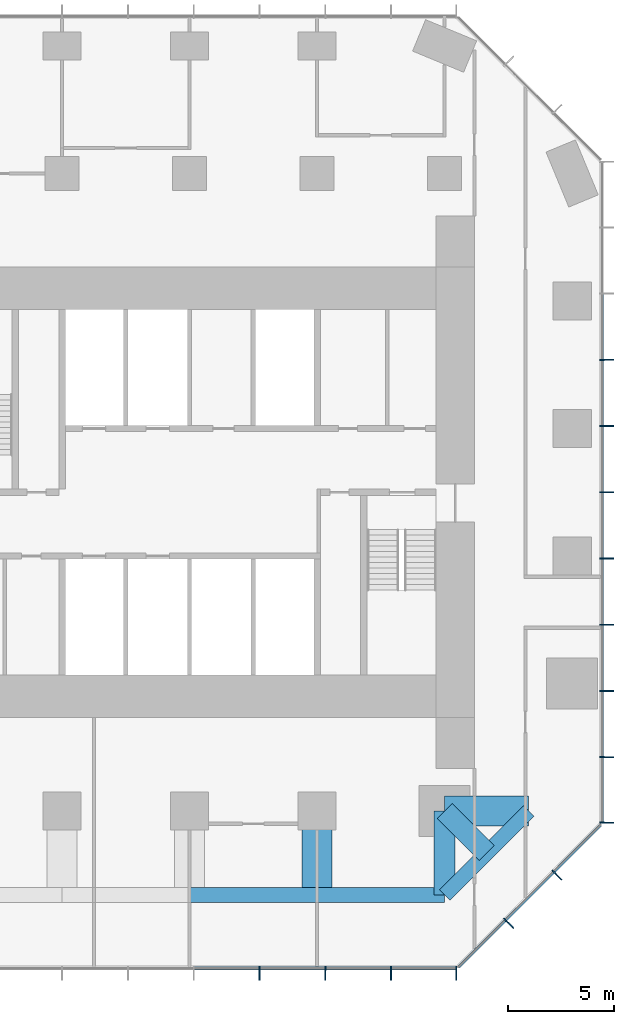
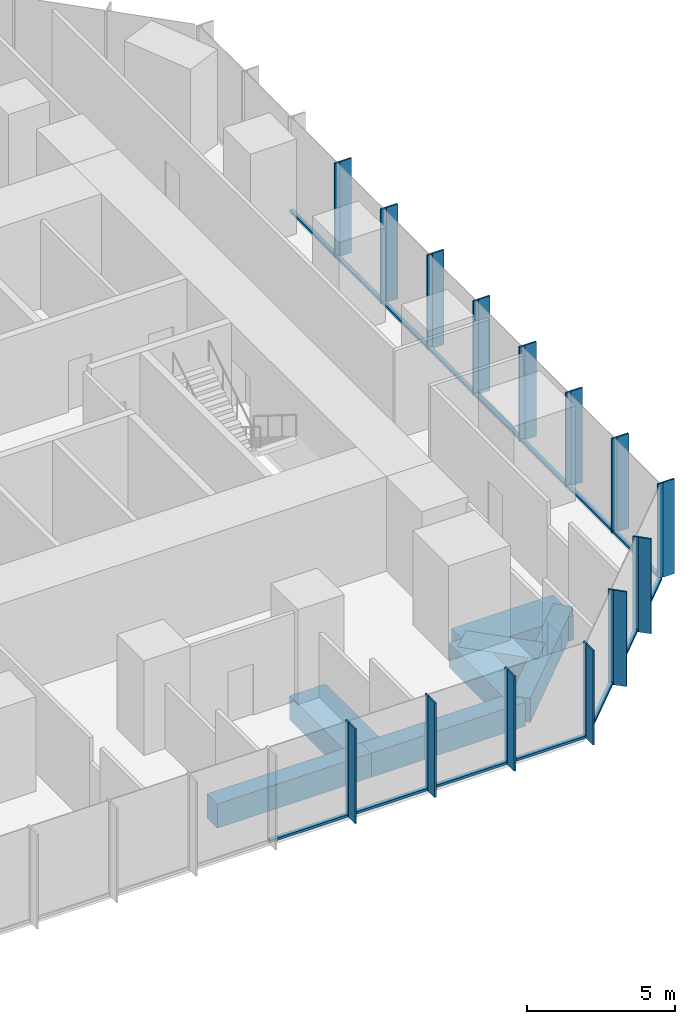
# One storey, part 4 of 11: 43 members, 7 beams, 3 elements without a shape of their own.
"""IFC4 building model written with IfcOpenShell, lengths in metres."""

import ifcopenshell
import ifcopenshell.guid

model = None  # the IFC model being written
_history = None  # IfcOwnerHistory: only IFC2X3 demands one
_inside = {}  # id of a spatial element -> (the spatial element, [elements in it])
_under = {}  # id of a project, library or spatial element -> (it, [spatial elements below it])
_declared = {}  # id of a project -> (the project, [libraries it declares])
_typed = {}  # id of a type object -> (the type object, [elements of that type])
_made_of = {}  # id of a material, layer set ... -> (it, [elements and type objects made of it])


def new_model(schema):
    """Start an empty IFC model of exactly this schema.

    Asked for "IFC4X3", IfcOpenShell would pick the latest addendum, in which some entities
    have other attributes; the version numbers below select the first issue.
    IFC2X3 requires an IfcOwnerHistory on every rooted entity: one is made here for all.
    """
    global model, _history
    if schema == "IFC4X3":
        model = ifcopenshell.file(schema_version=(4, 3, 0, 0))
    else:
        model = ifcopenshell.file(schema=schema)
    _inside.clear()
    _under.clear()
    _declared.clear()
    _typed.clear()
    _made_of.clear()
    _history = None
    if model.schema == "IFC2X3":
        org = make("IfcOrganization", Name="unknown")
        user = make(
            "IfcPersonAndOrganization",
            ThePerson=make("IfcPerson", FamilyName="unknown"),
            TheOrganization=org,
        )
        app = make(
            "IfcApplication",
            ApplicationDeveloper=org,
            Version="unknown",
            ApplicationFullName="unknown",
            ApplicationIdentifier="unknown",
        )
        _history = make(
            "IfcOwnerHistory",
            OwningUser=user,
            OwningApplication=app,
            ChangeAction="ADDED",
            CreationDate=0,
        )
    return model


def make(cls, **values):
    """One entity of the class cls with the attributes given. An attribute that is None is left unset."""
    return model.create_entity(
        cls, **{name: value for name, value in values.items() if value is not None}
    )


def rooted(cls, **values):
    """An entity with a GlobalId (a new one), such as an element, a storey or a relation."""
    return make(cls, GlobalId=ifcopenshell.guid.new(), OwnerHistory=_history, **values)


def si_unit(unit_type, name, prefix=None):
    """IfcSIUnit, for example si_unit("LENGTHUNIT", "METRE", prefix="MILLI")."""
    return make("IfcSIUnit", UnitType=unit_type, Prefix=prefix, Name=name)


def assignment(units):
    """IfcUnitAssignment: the units of a project."""
    return None if units is None else make("IfcUnitAssignment", Units=units)


def point(xyz):
    """IfcCartesianPoint."""
    return None if xyz is None else make("IfcCartesianPoint", Coordinates=xyz)


def direction(xyz):
    """IfcDirection."""
    return None if xyz is None else make("IfcDirection", DirectionRatios=xyz)


def frame(location, z_axis=None, x_axis=None):
    """IfcAxis2Placement3D, a coordinate frame: its origin and axes. An axis left out is left unset."""
    return make(
        "IfcAxis2Placement3D",
        Location=point(location),
        Axis=direction(z_axis),
        RefDirection=direction(x_axis),
    )


def frame_2d(location, x_axis=None):
    """IfcAxis2Placement2D, a coordinate frame in the plane: its origin and x axis."""
    return make(
        "IfcAxis2Placement2D", Location=point(location), RefDirection=direction(x_axis)
    )


def origin():
    """The frame at (0, 0, 0) with its axes left unset."""
    return frame((0.0, 0.0, 0.0))


def origin_2d():
    """The frame at (0, 0) in the plane with its x axis left unset."""
    return frame_2d((0.0, 0.0))


def place(relative_to, where):
    """IfcLocalPlacement: puts the frame where relative to a parent placement (None: the world)."""
    return make(
        "IfcLocalPlacement", PlacementRelTo=relative_to, RelativePlacement=where
    )


def context(
    kind, dimensions, precision=None, world=None, true_north=None, identifier=None
):
    """IfcGeometricRepresentationContext, for example the 3D "Model" context."""
    return make(
        "IfcGeometricRepresentationContext",
        ContextIdentifier=identifier,
        ContextType=kind,
        CoordinateSpaceDimension=dimensions,
        Precision=precision,
        WorldCoordinateSystem=world,
        TrueNorth=true_north,
    )


def subcontext(parent, identifier, kind, view, scale=None):
    """IfcGeometricRepresentationSubContext, for example "Body" below "Model"."""
    return make(
        "IfcGeometricRepresentationSubContext",
        ContextIdentifier=identifier,
        ContextType=kind,
        ParentContext=parent,
        TargetScale=scale,
        TargetView=view,
    )


def project(units=None, contexts=None):
    """IfcProject with its units and contexts."""
    return rooted(
        "IfcProject",
        Name="project",
        RepresentationContexts=contexts,
        UnitsInContext=assignment(units),
    )


def spatial(cls, under=None, at=None, **own):
    """A site, building, storey or space (cls), placed at a placement, below another one or the project."""
    s = rooted(cls, ObjectPlacement=at, **own)
    if under is not None:
        _under.setdefault(under.id(), (under, []))[1].append(s)
    return s


def profile(cls, at=None, kind="AREA", **sizes):
    """A parametric profile (cls). Its sizes go by their IFC names, for example OverallWidth=200.0."""
    return make(cls, ProfileType=kind, Position=at, **sizes)


def rectangle(**sizes):
    """IfcRectangleProfileDef."""
    return profile("IfcRectangleProfileDef", **sizes)


def extrude(swept, where, along, depth):
    """IfcExtrudedAreaSolid: the profile swept, set in the frame where, extruded along a direction by depth."""
    return make(
        "IfcExtrudedAreaSolid",
        SweptArea=swept,
        Position=where,
        ExtrudedDirection=direction(along),
        Depth=depth,
    )


def shape(context_of_items, identifier, shape_type, items):
    """IfcShapeRepresentation: the items that make up one representation, for example the "Body"."""
    return make(
        "IfcShapeRepresentation",
        ContextOfItems=context_of_items,
        RepresentationIdentifier=identifier,
        RepresentationType=shape_type,
        Items=items,
    )


def material(Name=None, Category=None):
    """IfcMaterial."""
    return make("IfcMaterial", Name=Name, Category=Category)


def layer(
    of_material, thickness, ventilated=None, Name=None, Category=None, Priority=None
):
    """IfcMaterialLayer: one layer of a wall or slab, of a material (None: an air gap)."""
    return make(
        "IfcMaterialLayer",
        Material=of_material,
        LayerThickness=thickness,
        IsVentilated=ventilated,
        Name=Name,
        Category=Category,
        Priority=Priority,
    )


def layer_set(layers, Name=None):
    """IfcMaterialLayerSet."""
    return make("IfcMaterialLayerSet", MaterialLayers=layers, LayerSetName=Name)


def material_profile(
    of_material, cross_section, Name=None, Category=None, Priority=None
):
    """IfcMaterialProfile: a cross section and its material."""
    return make(
        "IfcMaterialProfile",
        Name=Name,
        Material=of_material,
        Profile=cross_section,
        Priority=Priority,
        Category=Category,
    )


def profile_set(profiles, Name=None, composite=None):
    """IfcMaterialProfileSet."""
    return make(
        "IfcMaterialProfileSet",
        Name=Name,
        MaterialProfiles=profiles,
        CompositeProfile=composite,
    )


def made_of(thing, what):
    """Note that an element or type object is made of a material, layer set ...; save() writes the relation."""
    if what is not None:
        _made_of.setdefault(what.id(), (what, []))[1].append(thing)
    return thing


def type_object(cls, material=None, **own):
    """A type object (cls), such as IfcWallType, which elements share."""
    return made_of(rooted(cls, **own), material)


def element(
    cls,
    number,
    at=None,
    inside=None,
    cuts=None,
    type_object=None,
    material=None,
    context=None,
    identifier="Body",
    shape_type=None,
    held_by="IfcProductDefinitionShape",
    body=None,
    shapes=None,
    **own,
):
    """One element of the class cls, such as IfcWall. Its Tag is "e" and its number.

    at: its placement. inside: the storey or other place that contains it. cuts: it is an
    opening in that element (IfcRelVoidsElement). A single representation is given by context,
    identifier, shape_type and body (its items); several are given by shapes. held_by: the class
    of the entity that holds the representations. save() writes the other relations.
    """
    e = rooted(cls, Tag="e%d" % number, ObjectPlacement=at, **own)
    if body is not None:
        shapes = [shape(context, identifier, shape_type, body)]
    if shapes is not None:
        e.Representation = make(held_by, Representations=shapes)
    if inside is not None:
        _inside.setdefault(inside.id(), (inside, []))[1].append(e)
    if cuts is not None:
        rooted(
            "IfcRelVoidsElement", RelatingBuildingElement=cuts, RelatedOpeningElement=e
        )
    if type_object is not None:
        _typed.setdefault(type_object.id(), (type_object, []))[1].append(e)
    return made_of(e, material)


def aggregate(whole, parts):
    """IfcRelAggregates: a whole, such as a stair, and the parts it consists of."""
    return rooted("IfcRelAggregates", RelatingObject=whole, RelatedObjects=parts)


def save(model, path):
    """Write the relations noted so far, then the file.

    IfcRelAggregates (storeys below a building ...), IfcRelContainedInSpatialStructure (elements
    in a storey), IfcRelDefinesByType, IfcRelAssociatesMaterial and IfcRelDeclares: one each for
    every whole, place, type object, material and project.
    """
    for whole, parts in _under.values():
        aggregate(whole, parts)
    for where, things in _inside.values():
        rooted(
            "IfcRelContainedInSpatialStructure",
            RelatedElements=things,
            RelatingStructure=where,
        )
    for kind, things in _typed.values():
        rooted("IfcRelDefinesByType", RelatedObjects=things, RelatingType=kind)
    for what, things in _made_of.values():
        rooted("IfcRelAssociatesMaterial", RelatedObjects=things, RelatingMaterial=what)
    for by, libraries in _declared.values():
        rooted("IfcRelDeclares", RelatingContext=by, RelatedDefinitions=libraries)
    model.write(path)


model = new_model("IFC4")

# Units and contexts
model_context = context("Model", 3, precision=1e-05, world=origin(), true_north=direction((0.0, 1.0)))
body_context = subcontext(model_context, "Body", "Model", "MODEL_VIEW")
ifc_project = project(units=[si_unit("LENGTHUNIT", "METRE"), si_unit("AREAUNIT", "SQUARE_METRE"), si_unit("VOLUMEUNIT", "CUBIC_METRE"), si_unit("PLANEANGLEUNIT", "RADIAN"), si_unit("MASSUNIT", "GRAM", prefix="KILO")], contexts=[model_context])

# Site, building, storey
site_placement = place(None, origin())
site = spatial("IfcSite", under=ifc_project, at=site_placement, CompositionType="ELEMENT")
building_placement = place(site_placement, origin())
building = spatial("IfcBuilding", under=site, at=building_placement, Name="Highveld Stack Headquarters", CompositionType="ELEMENT")
storey_placement = place(building_placement, frame((0.0, 0.0, 121.10009765625)))
storey = spatial("IfcBuildingStorey", under=building, at=storey_placement, Name="L29", CompositionType="ELEMENT", Elevation=121.10009765625)

# Beams
ifc_material_1 = material(Name="Concrete C60/75", Category="concrete")
ifc_material_profile_1 = material_profile(ifc_material_1, rectangle(XDim=1.0, YDim=1.0, at=origin_2d()), Name="RC 1000x1000")
ifc_profile_set_1 = profile_set([ifc_material_profile_1], Name="Concrete C60/75")
beam_type_1 = type_object("IfcBeamType", Name="CANTILEVER RIB RC 1000x1000", PredefinedType="USERDEFINED", material=ifc_profile_set_1)
beam_1_placement = place(storey_placement, frame((18.0, -12.0, -0.75), z_axis=(0.0, -1.0, 0.0), x_axis=(1.0, 0.0, 0.0)))
element("IfcBeam", 1, at=beam_1_placement, inside=storey, type_object=beam_type_1, Name="Cantilever rib 9/C L29", ObjectType="CANTILEVER RIB", PredefinedType="USERDEFINED", context=body_context, shape_type="SweptSolid", body=[
    extrude(rectangle(XDim=1.0, YDim=1.0, at=origin_2d()), origin(), (0.0, 0.0, 1.0), 3.949951171875),
])
beam_2_placement = place(storey_placement, frame((18.0, -12.0, -0.75), z_axis=(0.707106781187, -0.707106781187, 0.0), x_axis=(0.707106781187, 0.707106781187, 0.0)))
element("IfcBeam", 2, at=beam_2_placement, inside=storey, type_object=beam_type_1, Name="Cantilever rib 9/C L29", ObjectType="CANTILEVER RIB", PredefinedType="USERDEFINED", context=body_context, shape_type="SweptSolid", body=[
    extrude(rectangle(XDim=1.0, YDim=1.0, at=origin_2d()), origin(), (0.0, 0.0, 1.0), 2.793212890625),
])
ifc_material_2 = material(Name="Concrete C60/75", Category="concrete")
ifc_material_profile_2 = material_profile(ifc_material_2, rectangle(XDim=1.39990234375, YDim=1.0, at=origin_2d()), Name="RC 1400x1000")
ifc_profile_set_2 = profile_set([ifc_material_profile_2], Name="Concrete C60/75")
beam_type_2 = type_object("IfcBeamType", Name="CANTILEVER RIB RC 1400x1000", PredefinedType="USERDEFINED", material=ifc_profile_set_2)
for number, where, z_axis, x_axis, name in (
    (3, (12.0, -12.0, -0.75), (0.0, -1.0, 0.0), (1.0, 0.0, 0.0), "Cantilever rib 8/C L29"),
    (4, (18.0, -12.0, -0.75), (1.0, 0.0, 0.0), (0.0, 1.0, 0.0), "Cantilever rib 9/C L29"),
):
    element("IfcBeam", number, at=place(storey_placement, frame(where, z_axis=z_axis, x_axis=x_axis)), inside=storey, type_object=beam_type_2, Name=name, ObjectType="CANTILEVER RIB", PredefinedType="USERDEFINED", context=body_context, shape_type="SweptSolid", body=[
        extrude(rectangle(XDim=1.39990234375, YDim=1.0, at=origin_2d()), origin(), (0.0, 0.0, 1.0), 3.949951171875),
    ])

# Curtain wall, members
ifc_material_3 = material(Name="Aluminium bronze anodised", Category="aluminium")
ifc_layer_1 = layer(ifc_material_3, 0.199951171875)
ifc_layer_set_1 = layer_set([ifc_layer_1], Name="Aluminium bronze anodised")
curtain_wall_type_1 = type_object("IfcCurtainWallType", Name="CW1 TOWER UNITISED CURTAIN WALL", PredefinedType="NOTDEFINED", material=ifc_layer_set_1)
curtain_wall_1_placement = place(storey_placement, origin())
curtain_wall_1 = element("IfcCurtainWall", 5, at=curtain_wall_1_placement, inside=storey, type_object=curtain_wall_type_1, Name="Curtain wall CW1 L29 S", PredefinedType="NOTDEFINED")
ifc_material_4 = material(Name="Aluminium bronze anodised", Category="aluminium")
ifc_material_profile_3 = material_profile(ifc_material_4, rectangle(XDim=0.449951171875, YDim=0.06005859375, at=origin_2d()), Name="FIN 450x60")
ifc_profile_set_3 = profile_set([ifc_material_profile_3], Name="Aluminium bronze anodised")
member_type_1 = type_object("IfcMemberType", Name="CW1 BRONZE FIN 450x60", PredefinedType="USERDEFINED", material=ifc_profile_set_3)
member_1_placement = place(storey_placement, frame((9.2900390625, -19.72509765625, 0.0), z_axis=(0.0, 0.0, 1.0), x_axis=(0.0, 1.0, 0.0)))
member_1 = element("IfcMember", 6, at=member_1_placement, type_object=member_type_1, Name="CW1 fin L29 10", ObjectType="FIN", PredefinedType="USERDEFINED", context=body_context, shape_type="SweptSolid", body=[
    extrude(rectangle(XDim=0.449951171875, YDim=0.06005859375, at=origin_2d()), origin(), (0.0, 0.0, 1.0), 3.89990234375),
])
member_2_placement = place(storey_placement, frame((12.38671875, -19.72509765625, 0.0), z_axis=(0.0, 0.0, 1.0), x_axis=(0.0, 1.0, 0.0)))
member_2 = element("IfcMember", 7, at=member_2_placement, type_object=member_type_1, Name="CW1 fin L29 11", ObjectType="FIN", PredefinedType="USERDEFINED", context=body_context, shape_type="SweptSolid", body=[
    extrude(rectangle(XDim=0.449951171875, YDim=0.06005859375, at=origin_2d()), origin(), (0.0, 0.0, 1.0), 3.89990234375),
])
member_3_placement = place(storey_placement, frame((15.4833984375, -19.72509765625, 0.0), z_axis=(0.0, 0.0, 1.0), x_axis=(0.0, 1.0, 0.0)))
member_3 = element("IfcMember", 8, at=member_3_placement, type_object=member_type_1, Name="CW1 fin L29 12", ObjectType="FIN", PredefinedType="USERDEFINED", context=body_context, shape_type="SweptSolid", body=[
    extrude(rectangle(XDim=0.449951171875, YDim=0.06005859375, at=origin_2d()), origin(), (0.0, 0.0, 1.0), 3.89990234375),
])
member_4_placement = place(storey_placement, frame((18.54736328125, -19.72509765625, 0.0), z_axis=(0.0, 0.0, 1.0), x_axis=(0.0, 1.0, 0.0)))
member_4 = element("IfcMember", 9, at=member_4_placement, type_object=member_type_1, Name="CW1 fin L29 13", ObjectType="FIN", PredefinedType="USERDEFINED", context=body_context, shape_type="SweptSolid", body=[
    extrude(rectangle(XDim=0.449951171875, YDim=0.06005859375, at=origin_2d()), origin(), (0.0, 0.0, 1.0), 3.89990234375),
])

curtain_wall_2_placement = place(storey_placement, origin())
curtain_wall_2 = element("IfcCurtainWall", 10, at=curtain_wall_2_placement, inside=storey, type_object=curtain_wall_type_1, Name="Curtain wall CW1 L29 E", PredefinedType="NOTDEFINED")
member_5_placement = place(storey_placement, frame((25.72509765625, -12.54736328125, 0.0), z_axis=(0.0, 0.0, 1.0), x_axis=(-1.0, 0.0, 0.0)))
member_5 = element("IfcMember", 11, at=member_5_placement, type_object=member_type_1, Name="CW1 fin L29 1", ObjectType="FIN", PredefinedType="USERDEFINED", context=body_context, shape_type="SweptSolid", body=[
    extrude(rectangle(XDim=0.449951171875, YDim=0.06005859375, at=origin_2d()), origin(), (0.0, 0.0, 1.0), 3.89990234375),
])
member_6_placement = place(storey_placement, frame((25.72509765625, -9.4638671875, 0.0), z_axis=(0.0, 0.0, 1.0), x_axis=(-1.0, 0.0, 0.0)))
member_6 = element("IfcMember", 12, at=member_6_placement, type_object=member_type_1, Name="CW1 fin L29 2", ObjectType="FIN", PredefinedType="USERDEFINED", context=body_context, shape_type="SweptSolid", body=[
    extrude(rectangle(XDim=0.449951171875, YDim=0.06005859375, at=origin_2d()), origin(), (0.0, 0.0, 1.0), 3.89990234375),
])
member_7_placement = place(storey_placement, frame((25.72509765625, -6.347900390625, 0.0), z_axis=(0.0, 0.0, 1.0), x_axis=(-1.0, 0.0, 0.0)))
member_7 = element("IfcMember", 13, at=member_7_placement, type_object=member_type_1, Name="CW1 fin L29 3", ObjectType="FIN", PredefinedType="USERDEFINED", context=body_context, shape_type="SweptSolid", body=[
    extrude(rectangle(XDim=0.449951171875, YDim=0.06005859375, at=origin_2d()), origin(), (0.0, 0.0, 1.0), 3.89990234375),
])
member_8_placement = place(storey_placement, frame((25.72509765625, -3.23193359375, 0.0), z_axis=(0.0, 0.0, 1.0), x_axis=(-1.0, 0.0, 0.0)))
member_8 = element("IfcMember", 14, at=member_8_placement, type_object=member_type_1, Name="CW1 fin L29 4", ObjectType="FIN", PredefinedType="USERDEFINED", context=body_context, shape_type="SweptSolid", body=[
    extrude(rectangle(XDim=0.449951171875, YDim=0.06005859375, at=origin_2d()), origin(), (0.0, 0.0, 1.0), 3.89990234375),
])
member_9_placement = place(storey_placement, frame((25.72509765625, -0.115966796875, 0.0), z_axis=(0.0, 0.0, 1.0), x_axis=(-1.0, 0.0, 0.0)))
member_9 = element("IfcMember", 15, at=member_9_placement, type_object=member_type_1, Name="CW1 fin L29 5", ObjectType="FIN", PredefinedType="USERDEFINED", context=body_context, shape_type="SweptSolid", body=[
    extrude(rectangle(XDim=0.449951171875, YDim=0.06005859375, at=origin_2d()), origin(), (0.0, 0.0, 1.0), 3.89990234375),
])
member_10_placement = place(storey_placement, frame((25.72509765625, 3.0, 0.0), z_axis=(0.0, 0.0, 1.0), x_axis=(-1.0, 0.0, 0.0)))
member_10 = element("IfcMember", 16, at=member_10_placement, type_object=member_type_1, Name="CW1 fin L29 6", ObjectType="FIN", PredefinedType="USERDEFINED", context=body_context, shape_type="SweptSolid", body=[
    extrude(rectangle(XDim=0.449951171875, YDim=0.06005859375, at=origin_2d()), origin(), (0.0, 0.0, 1.0), 3.89990234375),
])
member_11_placement = place(storey_placement, frame((25.72509765625, 6.115966796875, 0.0), z_axis=(0.0, 0.0, 1.0), x_axis=(-1.0, 0.0, 0.0)))
member_11 = element("IfcMember", 17, at=member_11_placement, type_object=member_type_1, Name="CW1 fin L29 7", ObjectType="FIN", PredefinedType="USERDEFINED", context=body_context, shape_type="SweptSolid", body=[
    extrude(rectangle(XDim=0.449951171875, YDim=0.06005859375, at=origin_2d()), origin(), (0.0, 0.0, 1.0), 3.89990234375),
])
member_12_placement = place(storey_placement, frame((25.72509765625, 9.23193359375, 0.0), z_axis=(0.0, 0.0, 1.0), x_axis=(-1.0, 0.0, 0.0)))
member_12 = element("IfcMember", 18, at=member_12_placement, type_object=member_type_1, Name="CW1 fin L29 8", ObjectType="FIN", PredefinedType="USERDEFINED", context=body_context, shape_type="SweptSolid", body=[
    extrude(rectangle(XDim=0.449951171875, YDim=0.06005859375, at=origin_2d()), origin(), (0.0, 0.0, 1.0), 3.89990234375),
])

# Member
ifc_material_5 = material(Name="Aluminium bronze anodised", Category="aluminium")
ifc_material_profile_4 = material_profile(ifc_material_5, rectangle(XDim=0.199951171875, YDim=0.06494140625, at=origin_2d()), Name="CW1 MULLION 65x200")
ifc_profile_set_4 = profile_set([ifc_material_profile_4], Name="Aluminium bronze anodised")
member_type_2 = type_object("IfcMemberType", Name="CW1 MULLION 65x200", PredefinedType="MULLION", material=ifc_profile_set_4)
member_13_placement = place(storey_placement, frame((9.2900390625, -19.39990234375, 0.0), z_axis=(0.0, 0.0, 1.0), x_axis=(0.0, 1.0, 0.0)))
member_13 = element("IfcMember", 19, at=member_13_placement, type_object=member_type_2, Name="CW1 mullion L29 10", PredefinedType="MULLION", context=body_context, shape_type="SweptSolid", body=[
    extrude(rectangle(XDim=0.199951171875, YDim=0.06494140625, at=origin_2d()), origin(), (0.0, 0.0, 1.0), 3.89990234375),
])

member_14_placement = place(storey_placement, frame((12.38671875, -19.39990234375, 0.0), z_axis=(0.0, 0.0, 1.0), x_axis=(0.0, 1.0, 0.0)))
member_14 = element("IfcMember", 20, at=member_14_placement, type_object=member_type_2, Name="CW1 mullion L29 11", PredefinedType="MULLION", context=body_context, shape_type="SweptSolid", body=[
    extrude(rectangle(XDim=0.199951171875, YDim=0.06494140625, at=origin_2d()), origin(), (0.0, 0.0, 1.0), 3.89990234375),
])

member_15_placement = place(storey_placement, frame((15.4833984375, -19.39990234375, 0.0), z_axis=(0.0, 0.0, 1.0), x_axis=(0.0, 1.0, 0.0)))
member_15 = element("IfcMember", 21, at=member_15_placement, type_object=member_type_2, Name="CW1 mullion L29 12", PredefinedType="MULLION", context=body_context, shape_type="SweptSolid", body=[
    extrude(rectangle(XDim=0.199951171875, YDim=0.06494140625, at=origin_2d()), origin(), (0.0, 0.0, 1.0), 3.89990234375),
])

member_16_placement = place(storey_placement, frame((18.54736328125, -19.39990234375, 0.0), z_axis=(0.0, 0.0, 1.0), x_axis=(0.0, 1.0, 0.0)))
member_16 = element("IfcMember", 22, at=member_16_placement, type_object=member_type_2, Name="CW1 mullion L29 13", PredefinedType="MULLION", context=body_context, shape_type="SweptSolid", body=[
    extrude(rectangle(XDim=0.199951171875, YDim=0.06494140625, at=origin_2d()), origin(), (0.0, 0.0, 1.0), 3.89990234375),
])

member_17_placement = place(storey_placement, frame((25.39990234375, -12.54736328125, 0.0), z_axis=(0.0, 0.0, 1.0), x_axis=(-1.0, 0.0, 0.0)))
member_17 = element("IfcMember", 23, at=member_17_placement, type_object=member_type_2, Name="CW1 mullion L29 1", PredefinedType="MULLION", context=body_context, shape_type="SweptSolid", body=[
    extrude(rectangle(XDim=0.199951171875, YDim=0.06494140625, at=origin_2d()), origin(), (0.0, 0.0, 1.0), 3.89990234375),
])

member_18_placement = place(storey_placement, frame((25.39990234375, -9.4638671875, 0.0), z_axis=(0.0, 0.0, 1.0), x_axis=(-1.0, 0.0, 0.0)))
member_18 = element("IfcMember", 24, at=member_18_placement, type_object=member_type_2, Name="CW1 mullion L29 2", PredefinedType="MULLION", context=body_context, shape_type="SweptSolid", body=[
    extrude(rectangle(XDim=0.199951171875, YDim=0.06494140625, at=origin_2d()), origin(), (0.0, 0.0, 1.0), 3.89990234375),
])

member_19_placement = place(storey_placement, frame((25.39990234375, -6.347900390625, 0.0), z_axis=(0.0, 0.0, 1.0), x_axis=(-1.0, 0.0, 0.0)))
member_19 = element("IfcMember", 25, at=member_19_placement, type_object=member_type_2, Name="CW1 mullion L29 3", PredefinedType="MULLION", context=body_context, shape_type="SweptSolid", body=[
    extrude(rectangle(XDim=0.199951171875, YDim=0.06494140625, at=origin_2d()), origin(), (0.0, 0.0, 1.0), 3.89990234375),
])

member_20_placement = place(storey_placement, frame((25.39990234375, -3.23193359375, 0.0), z_axis=(0.0, 0.0, 1.0), x_axis=(-1.0, 0.0, 0.0)))
member_20 = element("IfcMember", 26, at=member_20_placement, type_object=member_type_2, Name="CW1 mullion L29 4", PredefinedType="MULLION", context=body_context, shape_type="SweptSolid", body=[
    extrude(rectangle(XDim=0.199951171875, YDim=0.06494140625, at=origin_2d()), origin(), (0.0, 0.0, 1.0), 3.89990234375),
])

member_21_placement = place(storey_placement, frame((25.39990234375, -0.115966796875, 0.0), z_axis=(0.0, 0.0, 1.0), x_axis=(-1.0, 0.0, 0.0)))
member_21 = element("IfcMember", 27, at=member_21_placement, type_object=member_type_2, Name="CW1 mullion L29 5", PredefinedType="MULLION", context=body_context, shape_type="SweptSolid", body=[
    extrude(rectangle(XDim=0.199951171875, YDim=0.06494140625, at=origin_2d()), origin(), (0.0, 0.0, 1.0), 3.89990234375),
])

member_22_placement = place(storey_placement, frame((25.39990234375, 3.0, 0.0), z_axis=(0.0, 0.0, 1.0), x_axis=(-1.0, 0.0, 0.0)))
member_22 = element("IfcMember", 28, at=member_22_placement, type_object=member_type_2, Name="CW1 mullion L29 6", PredefinedType="MULLION", context=body_context, shape_type="SweptSolid", body=[
    extrude(rectangle(XDim=0.199951171875, YDim=0.06494140625, at=origin_2d()), origin(), (0.0, 0.0, 1.0), 3.89990234375),
])

member_23_placement = place(storey_placement, frame((25.39990234375, 6.115966796875, 0.0), z_axis=(0.0, 0.0, 1.0), x_axis=(-1.0, 0.0, 0.0)))
member_23 = element("IfcMember", 29, at=member_23_placement, type_object=member_type_2, Name="CW1 mullion L29 7", PredefinedType="MULLION", context=body_context, shape_type="SweptSolid", body=[
    extrude(rectangle(XDim=0.199951171875, YDim=0.06494140625, at=origin_2d()), origin(), (0.0, 0.0, 1.0), 3.89990234375),
])

member_24_placement = place(storey_placement, frame((25.39990234375, 9.23193359375, 0.0), z_axis=(0.0, 0.0, 1.0), x_axis=(-1.0, 0.0, 0.0)))
member_24 = element("IfcMember", 30, at=member_24_placement, type_object=member_type_2, Name="CW1 mullion L29 8", PredefinedType="MULLION", context=body_context, shape_type="SweptSolid", body=[
    extrude(rectangle(XDim=0.199951171875, YDim=0.06494140625, at=origin_2d()), origin(), (0.0, 0.0, 1.0), 3.89990234375),
])

ifc_material_6 = material(Name="Aluminium bronze anodised", Category="aluminium")
ifc_material_profile_5 = material_profile(ifc_material_6, rectangle(XDim=0.14990234375, YDim=0.10009765625, at=origin_2d()), Name="CW1 TRANSOM 150x100")
ifc_profile_set_5 = profile_set([ifc_material_profile_5], Name="Aluminium bronze anodised")
member_type_3 = type_object("IfcMemberType", Name="CW1 STACK TRANSOM 150x100", PredefinedType="USERDEFINED", material=ifc_profile_set_5)
member_25_placement = place(storey_placement, frame((6.225830078125, -19.39990234375, 0.0498046875), z_axis=(1.0, 0.0, 0.0), x_axis=(0.0, 1.0, 0.0)))
member_25 = element("IfcMember", 31, at=member_25_placement, type_object=member_type_3, Name="CW1 transom L29 9.1", ObjectType="TRANSOM", PredefinedType="USERDEFINED", context=body_context, shape_type="SweptSolid", body=[
    extrude(rectangle(XDim=0.14990234375, YDim=0.10009765625, at=origin_2d()), origin(), (0.0, 0.0, 1.0), 3.03173828125),
])

member_26_placement = place(storey_placement, frame((9.322509765625, -19.39990234375, 0.0498046875), z_axis=(1.0, 0.0, 0.0), x_axis=(0.0, 1.0, 0.0)))
member_26 = element("IfcMember", 32, at=member_26_placement, type_object=member_type_3, Name="CW1 transom L29 10.1", ObjectType="TRANSOM", PredefinedType="USERDEFINED", context=body_context, shape_type="SweptSolid", body=[
    extrude(rectangle(XDim=0.14990234375, YDim=0.10009765625, at=origin_2d()), origin(), (0.0, 0.0, 1.0), 3.031494140625),
])

member_27_placement = place(storey_placement, frame((12.419189453125, -19.39990234375, 0.0498046875), z_axis=(1.0, 0.0, 0.0), x_axis=(0.0, 1.0, 0.0)))
member_27 = element("IfcMember", 33, at=member_27_placement, type_object=member_type_3, Name="CW1 transom L29 11.1", ObjectType="TRANSOM", PredefinedType="USERDEFINED", context=body_context, shape_type="SweptSolid", body=[
    extrude(rectangle(XDim=0.14990234375, YDim=0.10009765625, at=origin_2d()), origin(), (0.0, 0.0, 1.0), 3.031494140625),
])

member_28_placement = place(storey_placement, frame((15.515869140625, -19.39990234375, 0.0498046875), z_axis=(1.0, 0.0, 0.0), x_axis=(0.0, 1.0, 0.0)))
member_28 = element("IfcMember", 34, at=member_28_placement, type_object=member_type_3, Name="CW1 transom L29 12.1", ObjectType="TRANSOM", PredefinedType="USERDEFINED", context=body_context, shape_type="SweptSolid", body=[
    extrude(rectangle(XDim=0.14990234375, YDim=0.10009765625, at=origin_2d()), origin(), (0.0, 0.0, 1.0), 2.9990234375),
])

aggregate(curtain_wall_1, [member_13, member_1, member_14, member_2, member_15, member_3, member_16, member_4, member_25, member_26, member_27, member_28])

member_29_placement = place(storey_placement, frame((25.39990234375, -12.514892578125, 0.0498046875), z_axis=(0.0, 1.0, 0.0), x_axis=(-1.0, 0.0, 0.0)))
member_29 = element("IfcMember", 35, at=member_29_placement, type_object=member_type_3, Name="CW1 transom L29 1.1", ObjectType="TRANSOM", PredefinedType="USERDEFINED", context=body_context, shape_type="SweptSolid", body=[
    extrude(rectangle(XDim=0.14990234375, YDim=0.10009765625, at=origin_2d()), origin(), (0.0, 0.0, 1.0), 3.0185546875),
])

member_30_placement = place(storey_placement, frame((25.39990234375, -9.431396484375, 0.0498046875), z_axis=(0.0, 1.0, 0.0), x_axis=(-1.0, 0.0, 0.0)))
member_30 = element("IfcMember", 36, at=member_30_placement, type_object=member_type_3, Name="CW1 transom L29 2.1", ObjectType="TRANSOM", PredefinedType="USERDEFINED", context=body_context, shape_type="SweptSolid", body=[
    extrude(rectangle(XDim=0.14990234375, YDim=0.10009765625, at=origin_2d()), origin(), (0.0, 0.0, 1.0), 3.051025390625),
])

member_31_placement = place(storey_placement, frame((25.39990234375, -6.3154296875, 0.0498046875), z_axis=(0.0, 1.0, 0.0), x_axis=(-1.0, 0.0, 0.0)))
member_31 = element("IfcMember", 37, at=member_31_placement, type_object=member_type_3, Name="CW1 transom L29 3.1", ObjectType="TRANSOM", PredefinedType="USERDEFINED", context=body_context, shape_type="SweptSolid", body=[
    extrude(rectangle(XDim=0.14990234375, YDim=0.10009765625, at=origin_2d()), origin(), (0.0, 0.0, 1.0), 3.051025390625),
])

member_32_placement = place(storey_placement, frame((25.39990234375, -3.199462890625, 0.0498046875), z_axis=(0.0, 1.0, 0.0), x_axis=(-1.0, 0.0, 0.0)))
member_32 = element("IfcMember", 38, at=member_32_placement, type_object=member_type_3, Name="CW1 transom L29 4.1", ObjectType="TRANSOM", PredefinedType="USERDEFINED", context=body_context, shape_type="SweptSolid", body=[
    extrude(rectangle(XDim=0.14990234375, YDim=0.10009765625, at=origin_2d()), origin(), (0.0, 0.0, 1.0), 3.051025390625),
])

member_33_placement = place(storey_placement, frame((25.39990234375, -0.08349609375, 0.0498046875), z_axis=(0.0, 1.0, 0.0), x_axis=(-1.0, 0.0, 0.0)))
member_33 = element("IfcMember", 39, at=member_33_placement, type_object=member_type_3, Name="CW1 transom L29 5.1", ObjectType="TRANSOM", PredefinedType="USERDEFINED", context=body_context, shape_type="SweptSolid", body=[
    extrude(rectangle(XDim=0.14990234375, YDim=0.10009765625, at=origin_2d()), origin(), (0.0, 0.0, 1.0), 3.051025390625),
])

member_34_placement = place(storey_placement, frame((25.39990234375, 3.032470703125, 0.0498046875), z_axis=(0.0, 1.0, 0.0), x_axis=(-1.0, 0.0, 0.0)))
member_34 = element("IfcMember", 40, at=member_34_placement, type_object=member_type_3, Name="CW1 transom L29 6.1", ObjectType="TRANSOM", PredefinedType="USERDEFINED", context=body_context, shape_type="SweptSolid", body=[
    extrude(rectangle(XDim=0.14990234375, YDim=0.10009765625, at=origin_2d()), origin(), (0.0, 0.0, 1.0), 3.051025390625),
])

member_35_placement = place(storey_placement, frame((25.39990234375, 6.1484375, 0.0498046875), z_axis=(0.0, 1.0, 0.0), x_axis=(-1.0, 0.0, 0.0)))
member_35 = element("IfcMember", 41, at=member_35_placement, type_object=member_type_3, Name="CW1 transom L29 7.1", ObjectType="TRANSOM", PredefinedType="USERDEFINED", context=body_context, shape_type="SweptSolid", body=[
    extrude(rectangle(XDim=0.14990234375, YDim=0.10009765625, at=origin_2d()), origin(), (0.0, 0.0, 1.0), 3.051025390625),
])

member_36_placement = place(storey_placement, frame((25.39990234375, 9.264404296875, 0.0498046875), z_axis=(0.0, 1.0, 0.0), x_axis=(-1.0, 0.0, 0.0)))
member_36 = element("IfcMember", 42, at=member_36_placement, type_object=member_type_3, Name="CW1 transom L29 8.1", ObjectType="TRANSOM", PredefinedType="USERDEFINED", context=body_context, shape_type="SweptSolid", body=[
    extrude(rectangle(XDim=0.14990234375, YDim=0.10009765625, at=origin_2d()), origin(), (0.0, 0.0, 1.0), 3.051025390625),
])

aggregate(curtain_wall_2, [member_17, member_5, member_18, member_6, member_19, member_7, member_20, member_8, member_21, member_9, member_22, member_10, member_23, member_11, member_24, member_12, member_29, member_30, member_31, member_32, member_33, member_34, member_35, member_36])

# Curtain wall, members
ifc_material_7 = material(Name="Aluminium bronze anodised", Category="aluminium")
ifc_layer_2 = layer(ifc_material_7, 0.199951171875)
ifc_layer_set_2 = layer_set([ifc_layer_2], Name="Aluminium bronze anodised")
curtain_wall_type_2 = type_object("IfcCurtainWallType", Name="CW2 TOWER CHAMFER UNITISED CURTAIN WALL", PredefinedType="NOTDEFINED", material=ifc_layer_set_2)
curtain_wall_3_placement = place(storey_placement, origin())
curtain_wall_3 = element("IfcCurtainWall", 43, at=curtain_wall_3_placement, inside=storey, type_object=curtain_wall_type_2, Name="Curtain wall CW2 L29 SE", PredefinedType="NOTDEFINED")
ifc_material_8 = material(Name="Aluminium bronze anodised", Category="aluminium")
ifc_material_profile_6 = material_profile(ifc_material_8, rectangle(XDim=0.449951171875, YDim=0.06005859375, at=origin_2d()), Name="FIN 450x60")
ifc_profile_set_6 = profile_set([ifc_material_profile_6], Name="Aluminium bronze anodised")
member_type_4 = type_object("IfcMemberType", Name="CW2 BRONZE FIN 450x60", PredefinedType="USERDEFINED", material=ifc_profile_set_6)
member_37_placement = place(storey_placement, frame((21.0830078125, -17.3564453125, 0.0), z_axis=(0.0, 0.0, 1.0), x_axis=(-0.707106781187, 0.707106781187, 0.0)))
member_37 = element("IfcMember", 44, at=member_37_placement, type_object=member_type_4, Name="CW2 fin L29 1", ObjectType="FIN", PredefinedType="USERDEFINED", context=body_context, shape_type="SweptSolid", body=[
    extrude(rectangle(XDim=0.449951171875, YDim=0.06005859375, at=origin_2d()), origin(), (0.0, 0.0, 1.0), 3.89990234375),
])
member_38_placement = place(storey_placement, frame((23.3564453125, -15.0830078125, 0.0), z_axis=(0.0, 0.0, 1.0), x_axis=(-0.707106781187, 0.707106781187, 0.0)))
member_38 = element("IfcMember", 45, at=member_38_placement, type_object=member_type_4, Name="CW2 fin L29 2", ObjectType="FIN", PredefinedType="USERDEFINED", context=body_context, shape_type="SweptSolid", body=[
    extrude(rectangle(XDim=0.449951171875, YDim=0.06005859375, at=origin_2d()), origin(), (0.0, 0.0, 1.0), 3.89990234375),
])
ifc_material_9 = material(Name="Aluminium bronze anodised", Category="aluminium")
ifc_material_profile_7 = material_profile(ifc_material_9, rectangle(XDim=0.199951171875, YDim=0.06494140625, at=origin_2d()), Name="CW2 MULLION 65x200")
ifc_profile_set_7 = profile_set([ifc_material_profile_7], Name="Aluminium bronze anodised")
member_type_5 = type_object("IfcMemberType", Name="CW2 MULLION 65x200", PredefinedType="MULLION", material=ifc_profile_set_7)
member_39_placement = place(storey_placement, frame((20.853271484375, -17.126708984375, 0.0), z_axis=(0.0, 0.0, 1.0), x_axis=(-0.707106781187, 0.707106781187, 0.0)))
member_39 = element("IfcMember", 46, at=member_39_placement, type_object=member_type_5, Name="CW2 mullion L29 1", PredefinedType="MULLION", context=body_context, shape_type="SweptSolid", body=[
    extrude(rectangle(XDim=0.199951171875, YDim=0.06494140625, at=origin_2d()), origin(), (0.0, 0.0, 1.0), 3.89990234375),
])
member_40_placement = place(storey_placement, frame((23.126708984375, -14.853271484375, 0.0), z_axis=(0.0, 0.0, 1.0), x_axis=(-0.707106781187, 0.707106781187, 0.0)))
member_40 = element("IfcMember", 47, at=member_40_placement, type_object=member_type_5, Name="CW2 mullion L29 2", PredefinedType="MULLION", context=body_context, shape_type="SweptSolid", body=[
    extrude(rectangle(XDim=0.199951171875, YDim=0.06494140625, at=origin_2d()), origin(), (0.0, 0.0, 1.0), 3.89990234375),
])
ifc_material_10 = material(Name="Aluminium bronze anodised", Category="aluminium")
ifc_material_profile_8 = material_profile(ifc_material_10, rectangle(XDim=0.14990234375, YDim=0.10009765625, at=origin_2d()), Name="CW2 TRANSOM 150x100")
ifc_profile_set_8 = profile_set([ifc_material_profile_8], Name="Aluminium bronze anodised")
member_type_6 = type_object("IfcMemberType", Name="CW2 STACK TRANSOM 150x100", PredefinedType="USERDEFINED", material=ifc_profile_set_8)
member_41_placement = place(storey_placement, frame((18.650634765625, -19.329345703125, 0.0498046875), z_axis=(0.707106781187, 0.707106781187, 0.0), x_axis=(-0.707106781187, 0.707106781187, 0.0)))
member_41 = element("IfcMember", 48, at=member_41_placement, type_object=member_type_6, Name="CW2 transom L29 1.1", ObjectType="TRANSOM", PredefinedType="USERDEFINED", context=body_context, shape_type="SweptSolid", body=[
    extrude(rectangle(XDim=0.14990234375, YDim=0.10009765625, at=origin_2d()), origin(), (0.0, 0.0, 1.0), 3.08251953125),
])
member_42_placement = place(storey_placement, frame((20.876220703125, -17.103759765625, 0.0498046875), z_axis=(0.707106781187, 0.707106781187, 0.0), x_axis=(-0.707106781187, 0.707106781187, 0.0)))
member_42 = element("IfcMember", 49, at=member_42_placement, type_object=member_type_6, Name="CW2 transom L29 2.1", ObjectType="TRANSOM", PredefinedType="USERDEFINED", context=body_context, shape_type="SweptSolid", body=[
    extrude(rectangle(XDim=0.14990234375, YDim=0.10009765625, at=origin_2d()), origin(), (0.0, 0.0, 1.0), 3.150146484375),
])
member_43_placement = place(storey_placement, frame((23.149658203125, -14.830322265625, 0.0498046875), z_axis=(0.707106781187, 0.707106781187, 0.0), x_axis=(-0.707106781187, 0.707106781187, 0.0)))
member_43 = element("IfcMember", 50, at=member_43_placement, type_object=member_type_6, Name="CW2 transom L29 3.1", ObjectType="TRANSOM", PredefinedType="USERDEFINED", context=body_context, shape_type="SweptSolid", body=[
    extrude(rectangle(XDim=0.14990234375, YDim=0.10009765625, at=origin_2d()), origin(), (0.0, 0.0, 1.0), 3.08251953125),
])
aggregate(curtain_wall_3, [member_39, member_37, member_40, member_38, member_41, member_42, member_43])

# Beams
ifc_material_11 = material(Name="Concrete C60/75", Category="concrete")
ifc_material_profile_9 = material_profile(ifc_material_11, rectangle(XDim=0.699951171875, YDim=1.0, at=origin_2d()), Name="RC 700x1000")
ifc_profile_set_9 = profile_set([ifc_material_profile_9], Name="Concrete C60/75")
beam_type_3 = type_object("IfcBeamType", Name="RIB TIP BEAM RC 700x1000", PredefinedType="SPANDREL", material=ifc_profile_set_9)
for number, where, z_axis, x_axis, name in (
    (51, (6.0, -15.949951171875, -0.75), (1.0, 0.0, 0.0), (0.0, 1.0, 0.0), "Rib tip beam 7/C to 8/C L29"),
    (52, (12.0, -15.949951171875, -0.75), (1.0, 0.0, 0.0), (0.0, 1.0, 0.0), "Rib tip beam 8/C to 9/C L29"),
):
    element("IfcBeam", number, at=place(storey_placement, frame(where, z_axis=z_axis, x_axis=x_axis)), inside=storey, type_object=beam_type_3, Name=name, PredefinedType="SPANDREL", context=body_context, shape_type="SweptSolid", body=[
        extrude(rectangle(XDim=0.699951171875, YDim=1.0, at=origin_2d()), origin(), (0.0, 0.0, 1.0), 6.0),
    ])
beam_3_placement = place(storey_placement, frame((21.949951171875, -12.0, -0.75), z_axis=(-0.707106781187, -0.707106781187, 0.0), x_axis=(0.707106781187, -0.707106781187, 0.0)))
element("IfcBeam", 53, at=beam_3_placement, inside=storey, type_object=beam_type_3, Name="Rib tip beam 9/C corner L29", PredefinedType="SPANDREL", context=body_context, shape_type="SweptSolid", body=[
    extrude(rectangle(XDim=0.699951171875, YDim=1.0, at=origin_2d()), origin(), (0.0, 0.0, 1.0), 5.586181640625),
])

save(model, "model.ifc")
